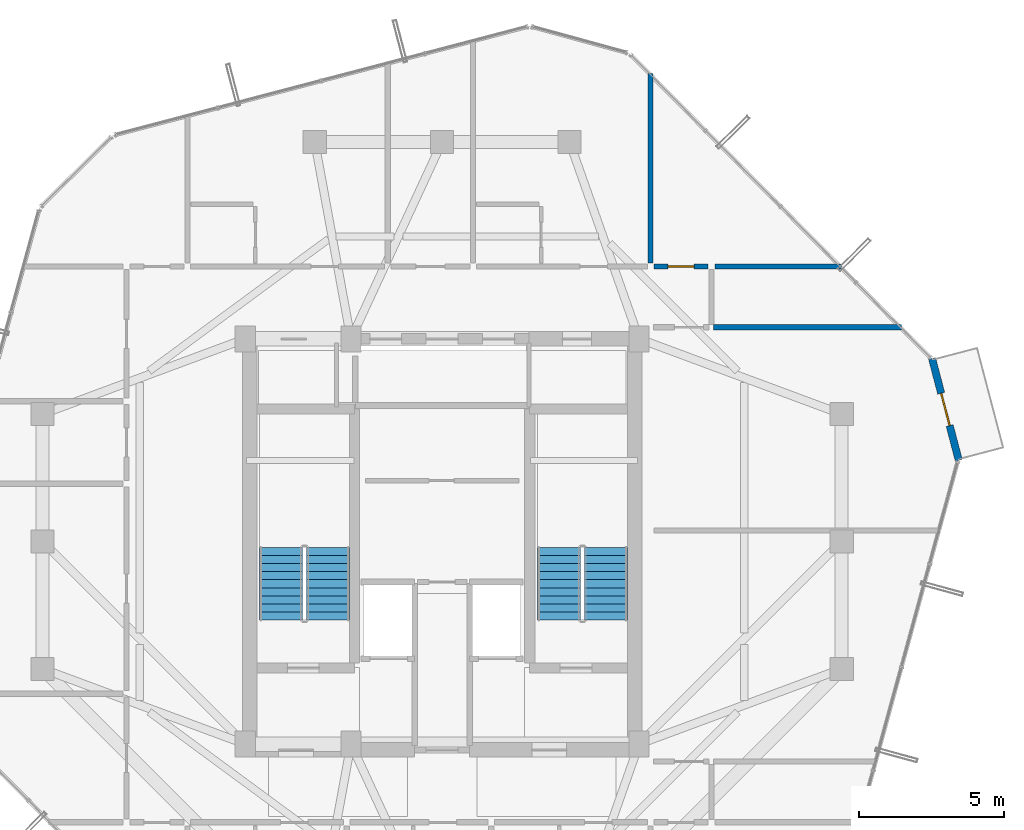
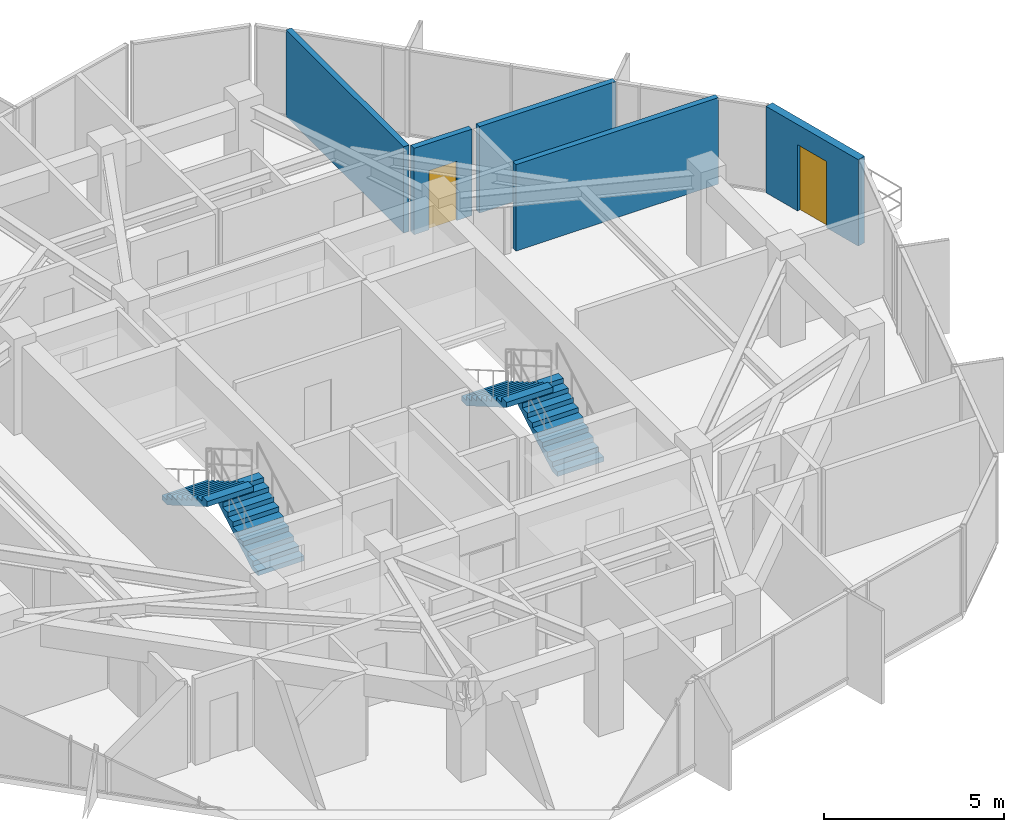
# One storey, part 27 of 29: 5 walls, 4 stair flights, 2 doors, 2 openings, 2 elements without a shape of their own.
"""IFC4 building model written with IfcOpenShell, lengths in metres."""

from ifc_helpers import new_model, si_unit, direction, frame, frame_2d, origin, place, context, subcontext, project, spatial, polyline, rectangle, outline, extrude, source, transform, mapped, material, layer, layer_set, type_object, element, fill, aggregate, save


model = new_model("IFC4")

# Units and contexts
model_context = context("Model", 3, precision=1e-05, world=origin(), true_north=direction((0.0, 1.0)))
body_context = subcontext(model_context, "Body", "Model", "MODEL_VIEW")
ifc_project = project(units=[si_unit("LENGTHUNIT", "METRE"), si_unit("AREAUNIT", "SQUARE_METRE"), si_unit("VOLUMEUNIT", "CUBIC_METRE"), si_unit("PLANEANGLEUNIT", "RADIAN"), si_unit("MASSUNIT", "GRAM", prefix="KILO")], contexts=[model_context])

# Site, building, storey
site_placement = place(None, origin())
site = spatial("IfcSite", under=ifc_project, at=site_placement, CompositionType="ELEMENT")
building_placement = place(site_placement, origin())
building = spatial("IfcBuilding", under=site, at=building_placement, Name="Veraguas Prism Commons", CompositionType="ELEMENT")
storey_placement = place(building_placement, frame((0.0, 0.0, 261.0)))
storey = spatial("IfcBuildingStorey", under=building, at=storey_placement, Name="L74", CompositionType="ELEMENT", Elevation=261.0)

# Walls
ifc_material_1 = material(Name="Autoclaved aerated masonry block 10 MPa", Category="masonry")
ifc_layer_1 = layer(ifc_material_1, 0.179931640625, Name="Corridor and Inter-Tenancy Partition 180", Category="masonry")
ifc_layer_set_1 = layer_set([ifc_layer_1], Name="Autoclaved aerated masonry block 10 MPa")
wall_type_1 = type_object("IfcWallType", Name="Corridor and Inter-Tenancy Partition 180", PredefinedType="PARTITIONING", material=ifc_layer_set_1)
wall_1_placement = place(storey_placement, frame((31.199951171875, 33.6201171875, 0.0), z_axis=(0.0, 0.0, 1.0), x_axis=(0.0, 1.0, 0.0)))
element("IfcWall", 1, at=wall_1_placement, inside=storey, type_object=wall_type_1, Name="WL-L74-PT015", PredefinedType="PARTITIONING", context=body_context, shape_type="SweptSolid", body=[
    extrude(rectangle(XDim=6.539794921875, YDim=0.179931640625, at=frame_2d((3.27001953125, 0.0))), origin(), (0.0, 0.0, 1.0), 2.929931640625),
])
wall_2_placement = place(storey_placement, frame((33.3798828125, 31.39990234375, 0.0), z_axis=(0.0, 0.0, 1.0), x_axis=(1.0, 0.0, 0.0)))
element("IfcWall", 2, at=wall_2_placement, inside=storey, type_object=wall_type_1, Name="WL-L74-PT040", PredefinedType="PARTITIONING", context=body_context, shape_type="SweptSolid", body=[
    extrude(rectangle(XDim=6.488525390625, YDim=0.179931640625, at=frame_2d((3.244140625, 0.0))), origin(), (0.0, 0.0, 1.0), 2.929931640625),
])
wall_3_placement = place(storey_placement, frame((33.419921875, 33.5, 0.0), z_axis=(0.0, 0.0, 1.0), x_axis=(1.0, 0.0, 0.0)))
element("IfcWall", 3, at=wall_3_placement, inside=storey, type_object=wall_type_1, Name="WL-L74-PT045", PredefinedType="PARTITIONING", context=body_context, shape_type="SweptSolid", body=[
    extrude(rectangle(XDim=4.370361328125, YDim=0.179931640625, at=frame_2d((2.18505859375, 0.0))), origin(), (0.0, 0.0, 1.0), 2.929931640625),
])

# Wall, opening, door
wall_4_placement = place(storey_placement, frame((31.320068359375, 33.5, 0.0), z_axis=(0.0, 0.0, 1.0), x_axis=(1.0, 0.0, 0.0)))
wall_4 = element("IfcWall", 4, at=wall_4_placement, inside=storey, type_object=wall_type_1, Name="WL-L74-PT046", PredefinedType="PARTITIONING", context=body_context, shape_type="SweptSolid", body=[
    extrude(rectangle(XDim=1.85986328125, YDim=0.179931640625, at=frame_2d((0.929931640625, 0.0))), origin(), (0.0, 0.0, 1.0), 2.929931640625),
])
opening_1_placement = place(wall_4_placement, frame((0.47998046875, 0.0, 0.0)))
opening_1 = element("IfcOpeningElement", 5, at=opening_1_placement, cuts=wall_4, Name="Opening DR-14", PredefinedType="OPENING", context=body_context, shape_type="SweptSolid", body=[
    extrude(rectangle(XDim=0.89990234375, YDim=2.010009765625, at=frame_2d((0.449951171875, 1.0048828125))), frame((0.0, 0.099853515625, 0.0), z_axis=(0.0, -1.0, 0.0), x_axis=(1.0, 0.0, 0.0)), (0.0, 0.0, 1.0), 0.199951171875),
])
ifc_material_2 = material(Name="Steel fire-rated door assembly", Category="steel")
door_type_1 = type_object("IfcDoorType", Name="Core Service Room Fire Door 900x2010", OperationType="NOTDEFINED", PredefinedType="DOOR", material=ifc_material_2)
shared_shape_1 = source(origin(), body_context, "Body", "SweptSolid", [
    extrude(rectangle(XDim=0.89990234375, YDim=2.010009765625, at=frame_2d((0.449951171875, 1.0048828125))), frame((0.0, 0.02490234375, 0.0), z_axis=(0.0, -1.0, 0.0), x_axis=(1.0, 0.0, 0.0)), (0.0, 0.0, 1.0), 0.050048828125),
])
door_1_placement = place(opening_1_placement, origin())
door_1 = element("IfcDoor", 6, at=door_1_placement, inside=storey, type_object=door_type_1, Name="Residents Corner Study Room NE Door", OperationType="SINGLE_SWING_RIGHT", OverallHeight=2.010009765625, OverallWidth=0.89990234375, PredefinedType="DOOR", context=body_context, shape_type="MappedRepresentation", body=[
    mapped(shared_shape_1, transform((0.0, 0.0, 0.0), scale=1.0)),
])
fill(opening_1, door_1)

ifc_material_3 = material(Name="Precast concrete C40/50", Category="concrete")
ifc_layer_2 = layer(ifc_material_3, 0.25, Name="External Loggia and Portal Wall 250", Category="concrete")
ifc_layer_set_2 = layer_set([ifc_layer_2], Name="Precast concrete C40/50")
wall_type_2 = type_object("IfcWallType", Name="External Loggia and Portal Wall 250", PredefinedType="SOLIDWALL", material=ifc_layer_set_2)
wall_5_placement = place(storey_placement, frame((41.845703125, 26.798828125, 0.0), z_axis=(0.0, 0.0, 1.0), x_axis=(-0.253826800721, 0.967249686087, 0.0)))
wall_5 = element("IfcWall", 7, at=wall_5_placement, inside=storey, type_object=wall_type_2, Name="Corner Loggia Wall L74-C1", PredefinedType="SOLIDWALL", context=body_context, shape_type="SweptSolid", body=[
    extrude(rectangle(XDim=3.642578125, YDim=0.25, at=frame_2d((1.8212890625, 0.0))), origin(), (0.0, 0.0, 1.0), 2.929931640625),
])
opening_2_placement = place(wall_5_placement, frame((1.24609375, 0.0, 0.0)))
opening_2 = element("IfcOpeningElement", 8, at=opening_2_placement, cuts=wall_5, Name="Opening DR-10", PredefinedType="OPENING", context=body_context, shape_type="SweptSolid", body=[
    extrude(rectangle(XDim=1.14990234375, YDim=2.25, at=frame_2d((0.574951171875, 1.125))), frame((0.0, 0.135009765625, 0.0), z_axis=(0.0, -1.0, 0.0), x_axis=(1.0, 0.0, 0.0)), (0.0, 0.0, 1.0), 0.27001953125),
])
ifc_material_4 = material(Name="Anodised aluminium EN AW-6063 T6", Category="aluminium")
door_type_2 = type_object("IfcDoorType", Name="Glazed Loggia and Terrace Door 1150x2250", OperationType="NOTDEFINED", PredefinedType="DOOR", material=ifc_material_4)
shared_shape_2 = source(origin(), body_context, "Body", "SweptSolid", [
    extrude(rectangle(XDim=1.14990234375, YDim=2.25, at=frame_2d((0.574951171875, 1.125))), frame((0.0, 0.02490234375, 0.0), z_axis=(0.0, -1.0, 0.0), x_axis=(1.0, 0.0, 0.0)), (0.0, 0.0, 1.0), 0.050048828125),
])
door_2_placement = place(opening_2_placement, frame((1.14990234375, 0.0, 0.0), z_axis=(0.0, 0.0, 1.0), x_axis=(-1.0, 0.0, 0.0)))
door_2 = element("IfcDoor", 9, at=door_2_placement, inside=storey, type_object=door_type_2, Name="Recessed Loggia Door L74-C1", OperationType="SINGLE_SWING_RIGHT", OverallHeight=2.25, OverallWidth=1.14990234375, PredefinedType="DOOR", context=body_context, shape_type="MappedRepresentation", body=[
    mapped(shared_shape_2, transform((0.0, 0.0, 0.0), scale=1.0)),
])
fill(opening_2, door_2)

# Stair, stair flights
ifc_material_5 = material(Name="Precast concrete C45/55", Category="concrete")
stair_type = type_object("IfcStairType", Name="Dogleg Core Stair 1480W 20R 05", PredefinedType="HALF_TURN_STAIR", material=ifc_material_5)
stair_1_placement = place(storey_placement, origin())
stair_1 = element("IfcStair", 10, at=stair_1_placement, inside=storey, type_object=stair_type, Name="Protected Exit Stair ST-01 L74", PredefinedType="HALF_TURN_STAIR")
stair_flight_type = type_object("IfcStairFlightType", Name="Precast Stair Flight 1480W 10R 05", PredefinedType="STRAIGHT", material=ifc_material_5)
stair_flight_1_placement = place(storey_placement, frame((20.06005859375, 21.280029296875, 0.0), z_axis=(0.0, 0.0, 1.0), x_axis=(0.0, 1.0, 0.0)))
stair_flight_1 = element("IfcStairFlight", 11, at=stair_flight_1_placement, type_object=stair_flight_type, Name="ST-05 Flight 1", NumberOfRisers=10, NumberOfTreads=9, PredefinedType="STRAIGHT", RiserHeight=0.1625, TreadLength=0.28, context=body_context, shape_type="SweptSolid", body=[
    extrude(outline(polyline([(0.0, 0.0), (0.0, 0.16259765625), (0.280029296875, 0.16259765625), (0.280029296875, 0.324951171875), (0.56005859375, 0.324951171875), (0.56005859375, 0.487548828125), (0.840087890625, 0.487548828125), (0.840087890625, 0.64990234375), (1.1201171875, 0.64990234375), (1.1201171875, 0.8125), (1.39990234375, 0.8125), (1.39990234375, 0.97509765625), (1.679931640625, 0.97509765625), (1.679931640625, 1.137451171875), (1.9599609375, 1.137451171875), (1.9599609375, 1.300048828125), (2.239990234375, 1.300048828125), (2.239990234375, 1.46240234375), (2.52001953125, 1.46240234375), (2.52001953125, 1.625), (2.52001953125, 1.2890625), (0.298583984375, 0.0), (0.0, 0.0)])), frame((0.0, 0.739990234375, 0.0), z_axis=(0.0, -1.0, 0.0), x_axis=(1.0, 0.0, 0.0)), (0.0, 0.0, 1.0), 1.47998046875),
])
stair_flight_2_placement = place(storey_placement, frame((18.429931640625, 23.800048828125, 1.625), z_axis=(0.0, 0.0, 1.0), x_axis=(0.0, -1.0, 0.0)))
stair_flight_2 = element("IfcStairFlight", 12, at=stair_flight_2_placement, type_object=stair_flight_type, Name="ST-05 Flight 2", NumberOfRisers=10, NumberOfTreads=9, PredefinedType="STRAIGHT", RiserHeight=0.1625, TreadLength=0.28, context=body_context, shape_type="SweptSolid", body=[
    extrude(outline(polyline([(0.0, 0.0), (0.0, 0.16259765625), (0.280029296875, 0.16259765625), (0.280029296875, 0.324951171875), (0.56005859375, 0.324951171875), (0.56005859375, 0.487548828125), (0.840087890625, 0.487548828125), (0.840087890625, 0.64990234375), (1.1201171875, 0.64990234375), (1.1201171875, 0.8125), (1.39990234375, 0.8125), (1.39990234375, 0.97509765625), (1.679931640625, 0.97509765625), (1.679931640625, 1.137451171875), (1.9599609375, 1.137451171875), (1.9599609375, 1.300048828125), (2.239990234375, 1.300048828125), (2.239990234375, 1.46240234375), (2.52001953125, 1.46240234375), (2.52001953125, 1.625), (2.52001953125, 1.2890625), (0.298583984375, 0.0), (0.0, 0.0)])), frame((0.0, 0.739990234375, 0.0), z_axis=(0.0, -1.0, 0.0), x_axis=(1.0, 0.0, 0.0)), (0.0, 0.0, 1.0), 1.47998046875),
])
aggregate(stair_1, [stair_flight_1, stair_flight_2])

stair_2_placement = place(storey_placement, origin())
stair_2 = element("IfcStair", 13, at=stair_2_placement, inside=storey, type_object=stair_type, Name="Protected Exit Stair ST-02 L74", PredefinedType="HALF_TURN_STAIR")
stair_flight_3_placement = place(storey_placement, frame((29.659912109375, 21.280029296875, 0.0), z_axis=(0.0, 0.0, 1.0), x_axis=(0.0, 1.0, 0.0)))
stair_flight_3 = element("IfcStairFlight", 14, at=stair_flight_3_placement, type_object=stair_flight_type, Name="ST-05 Flight 1", NumberOfRisers=10, NumberOfTreads=9, PredefinedType="STRAIGHT", RiserHeight=0.1625, TreadLength=0.28, context=body_context, shape_type="SweptSolid", body=[
    extrude(outline(polyline([(0.0, 0.0), (0.0, 0.16259765625), (0.280029296875, 0.16259765625), (0.280029296875, 0.324951171875), (0.56005859375, 0.324951171875), (0.56005859375, 0.487548828125), (0.840087890625, 0.487548828125), (0.840087890625, 0.64990234375), (1.1201171875, 0.64990234375), (1.1201171875, 0.8125), (1.39990234375, 0.8125), (1.39990234375, 0.97509765625), (1.679931640625, 0.97509765625), (1.679931640625, 1.137451171875), (1.9599609375, 1.137451171875), (1.9599609375, 1.300048828125), (2.239990234375, 1.300048828125), (2.239990234375, 1.46240234375), (2.52001953125, 1.46240234375), (2.52001953125, 1.625), (2.52001953125, 1.2890625), (0.298583984375, 0.0), (0.0, 0.0)])), frame((0.0, 0.739990234375, 0.0), z_axis=(0.0, -1.0, 0.0), x_axis=(1.0, 0.0, 0.0)), (0.0, 0.0, 1.0), 1.47998046875),
])
stair_flight_4_placement = place(storey_placement, frame((28.030029296875, 23.800048828125, 1.625), z_axis=(0.0, 0.0, 1.0), x_axis=(0.0, -1.0, 0.0)))
stair_flight_4 = element("IfcStairFlight", 15, at=stair_flight_4_placement, type_object=stair_flight_type, Name="ST-05 Flight 2", NumberOfRisers=10, NumberOfTreads=9, PredefinedType="STRAIGHT", RiserHeight=0.1625, TreadLength=0.28, context=body_context, shape_type="SweptSolid", body=[
    extrude(outline(polyline([(0.0, 0.0), (0.0, 0.16259765625), (0.280029296875, 0.16259765625), (0.280029296875, 0.324951171875), (0.56005859375, 0.324951171875), (0.56005859375, 0.487548828125), (0.840087890625, 0.487548828125), (0.840087890625, 0.64990234375), (1.1201171875, 0.64990234375), (1.1201171875, 0.8125), (1.39990234375, 0.8125), (1.39990234375, 0.97509765625), (1.679931640625, 0.97509765625), (1.679931640625, 1.137451171875), (1.9599609375, 1.137451171875), (1.9599609375, 1.300048828125), (2.239990234375, 1.300048828125), (2.239990234375, 1.46240234375), (2.52001953125, 1.46240234375), (2.52001953125, 1.625), (2.52001953125, 1.2890625), (0.298583984375, 0.0), (0.0, 0.0)])), frame((0.0, 0.739990234375, 0.0), z_axis=(0.0, -1.0, 0.0), x_axis=(1.0, 0.0, 0.0)), (0.0, 0.0, 1.0), 1.47998046875),
])
aggregate(stair_2, [stair_flight_3, stair_flight_4])

save(model, "model.ifc")
